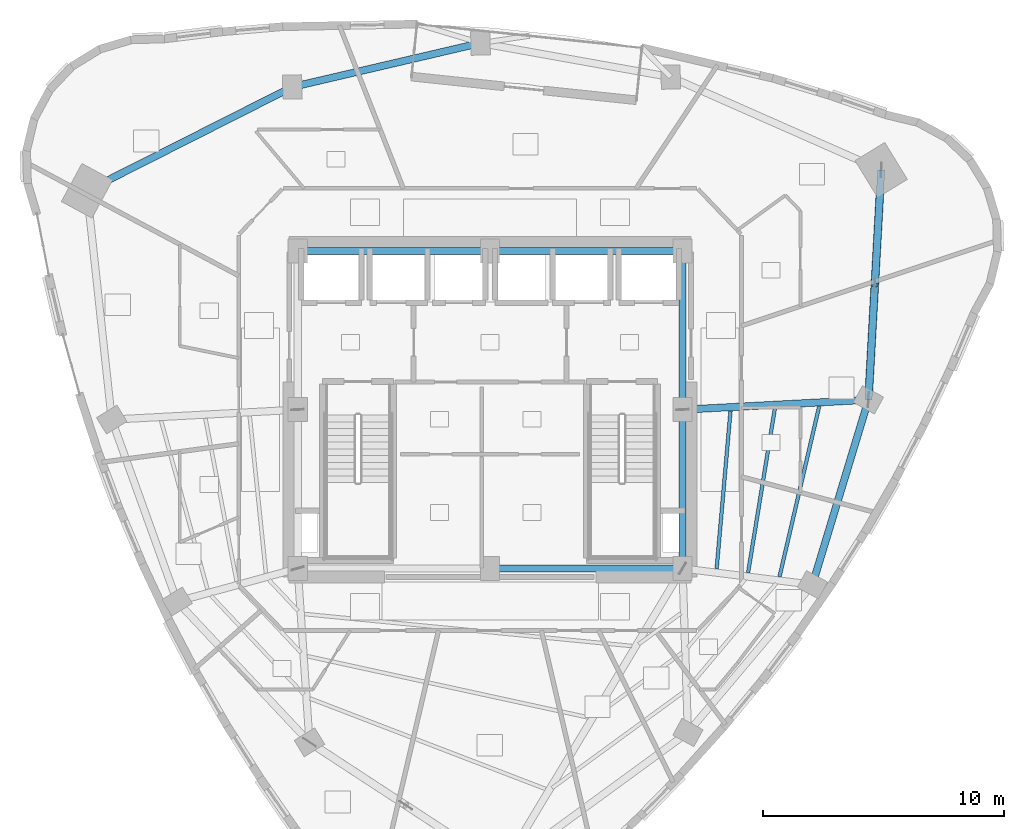
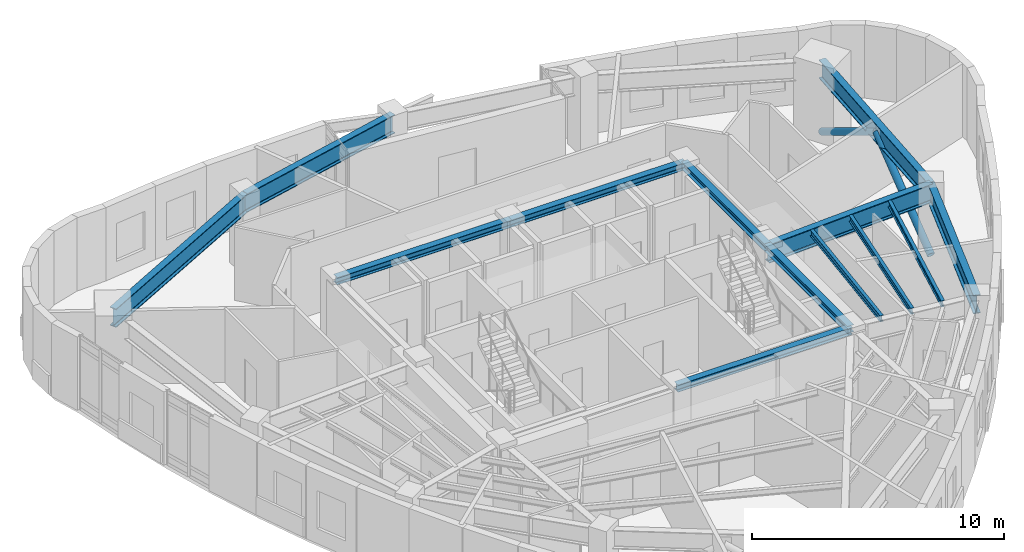
# One storey, part 5 of 16: 13 beams, 2 members.
"""IFC4 building model written with IfcOpenShell, lengths in metres."""

from ifc_helpers import new_model, si_unit, direction, frame, origin, origin_2d, place, context, subcontext, project, spatial, hollow_circle, i_section, extrude, material, material_profile, profile_set, type_object, element, save


model = new_model("IFC4")

# Units and contexts
model_context = context("Model", 3, precision=1e-05, world=origin(), true_north=direction((0.0, 1.0)))
body_context = subcontext(model_context, "Body", "Model", "MODEL_VIEW")
ifc_project = project(units=[si_unit("LENGTHUNIT", "METRE"), si_unit("AREAUNIT", "SQUARE_METRE"), si_unit("VOLUMEUNIT", "CUBIC_METRE"), si_unit("PLANEANGLEUNIT", "RADIAN"), si_unit("MASSUNIT", "GRAM", prefix="KILO")], contexts=[model_context])

# Site, building, storey
site_placement = place(None, origin())
site = spatial("IfcSite", under=ifc_project, at=site_placement, CompositionType="ELEMENT")
building_placement = place(site_placement, origin())
building = spatial("IfcBuilding", under=site, at=building_placement, Name="Ndelora Gate Hotel", CompositionType="ELEMENT")
storey_placement = place(building_placement, frame((0.0, 0.0, 182.75)))
storey = spatial("IfcBuildingStorey", under=building, at=storey_placement, Name="L45", CompositionType="ELEMENT", Elevation=182.75)

# Beams
ifc_material_1 = material(Name="Steel S460", Category="steel")
ifc_material_profile_1 = material_profile(ifc_material_1, i_section(OverallWidth=0.300048828125, OverallDepth=0.89990234375, WebThickness=0.0185546875, FlangeThickness=0.034912109375, FilletRadius=0.030029296875, at=origin_2d()), Name="HEB 900")
ifc_profile_set_1 = profile_set([ifc_material_profile_1], Name="Steel S460")
beam_type_1 = type_object("IfcBeamType", Name="BM-BELT-900", PredefinedType="SPANDREL", material=ifc_profile_set_1)
beam_1_placement = place(storey_placement, frame((13.400390625, -7.275634765625, 3.10009765625), z_axis=(0.290012456561, 0.957022870698, 0.0), x_axis=(-0.957022870698, 0.290012456561, 0.0)))
element("IfcBeam", 1, at=beam_1_placement, inside=storey, type_object=beam_type_1, Name="L45 Perimeter Spandrel Girder 7", PredefinedType="SPANDREL", context=body_context, shape_type="SweptSolid", body=[
    extrude(i_section(OverallWidth=0.300048828125, OverallDepth=0.89990234375, WebThickness=0.0185546875, FlangeThickness=0.034912109375, FilletRadius=0.030029296875, at=origin_2d()), origin(), (0.0, 0.0, 1.0), 8.03271484375),
])
beam_2_placement = place(storey_placement, frame((15.72998046875, 0.411865234375, 3.10009765625), z_axis=(0.055426206248, 0.998462786318, 0.0), x_axis=(-0.998462786318, 0.055426206248, 0.0)))
element("IfcBeam", 2, at=beam_2_placement, inside=storey, type_object=beam_type_1, Name="L45 Perimeter Spandrel Girder 8", PredefinedType="SPANDREL", context=body_context, shape_type="SweptSolid", body=[
    extrude(i_section(OverallWidth=0.300048828125, OverallDepth=0.89990234375, WebThickness=0.0185546875, FlangeThickness=0.034912109375, FilletRadius=0.030029296875, at=origin_2d()), origin(), (0.0, 0.0, 1.0), 9.567138671875),
])
beam_3_placement = place(storey_placement, frame((-0.399169921875, 15.242919921875, 3.10009765625), z_axis=(-0.973809142107, -0.227367004529, 0.0), x_axis=(0.227367004529, -0.973809142107, 0.0)))
element("IfcBeam", 3, at=beam_3_placement, inside=storey, type_object=beam_type_1, Name="L45 Perimeter Spandrel Girder 11", PredefinedType="SPANDREL", context=body_context, shape_type="SweptSolid", body=[
    extrude(i_section(OverallWidth=0.300048828125, OverallDepth=0.89990234375, WebThickness=0.0185546875, FlangeThickness=0.034912109375, FilletRadius=0.030029296875, at=origin_2d()), origin(), (0.0, 0.0, 1.0), 8.032958984375),
])
beam_4_placement = place(storey_placement, frame((-8.2216796875, 13.41650390625, 3.10009765625), z_axis=(-0.89241242978, -0.451220628045, 0.0), x_axis=(0.451220628045, -0.89241242978, 0.0)))
element("IfcBeam", 4, at=beam_4_placement, inside=storey, type_object=beam_type_1, Name="L45 Perimeter Spandrel Girder 12", PredefinedType="SPANDREL", context=body_context, shape_type="SweptSolid", body=[
    extrude(i_section(OverallWidth=0.300048828125, OverallDepth=0.89990234375, WebThickness=0.0185546875, FlangeThickness=0.034912109375, FilletRadius=0.030029296875, at=origin_2d()), origin(), (0.0, 0.0, 1.0), 9.567138671875),
])
beam_5_placement = place(storey_placement, frame((8.0, 0.0, 3.10009765625), z_axis=(0.998583554121, 0.053206065814, 0.0), x_axis=(-0.053206065814, 0.998583554121, 0.0)))
element("IfcBeam", 5, at=beam_5_placement, inside=storey, type_object=beam_type_1, Name="L45 Radial Floor Girder 8", PredefinedType="SPANDREL", context=body_context, shape_type="SweptSolid", body=[
    extrude(i_section(OverallWidth=0.300048828125, OverallDepth=0.89990234375, WebThickness=0.0185546875, FlangeThickness=0.034912109375, FilletRadius=0.030029296875, at=origin_2d()), origin(), (0.0, 0.0, 1.0), 7.740966796875),
])
ifc_material_2 = material(Name="Steel S355", Category="steel")
ifc_material_profile_2 = material_profile(ifc_material_2, i_section(OverallWidth=0.300048828125, OverallDepth=0.35009765625, WebThickness=0.010009765625, FlangeThickness=0.017578125, FilletRadius=0.027099609375, at=origin_2d()), Name="HEA 360")
ifc_profile_set_2 = profile_set([ifc_material_profile_2], Name="Steel S355")
beam_type_2 = type_object("IfcBeamType", Name="BM-CORE-350", PredefinedType="BEAM", material=ifc_profile_set_2)
for number, where, z_axis, x_axis, name in (
    (6, (-8.0, 6.60009765625, 3.375), (1.0, 0.0, 0.0), (0.0, 1.0, 0.0), "L45 Core Tie Girder CC7-CC6"),
    (7, (0.0, 6.60009765625, 3.375), (1.0, 0.0, 0.0), (0.0, 1.0, 0.0), "L45 Core Tie Girder CC6-CC5"),
):
    element("IfcBeam", number, at=place(storey_placement, frame(where, z_axis=z_axis, x_axis=x_axis)), inside=storey, type_object=beam_type_2, Name=name, PredefinedType="BEAM", context=body_context, shape_type="SweptSolid", body=[
        extrude(i_section(OverallWidth=0.300048828125, OverallDepth=0.35009765625, WebThickness=0.010009765625, FlangeThickness=0.017578125, FilletRadius=0.027099609375, at=origin_2d()), origin(), (0.0, 0.0, 1.0), 8.0),
    ])
for number, where, z_axis, x_axis, name in (
    (8, (8.0, -6.60009765625, 3.375), (0.0, 1.0, 0.0), (-1.0, 0.0, 0.0), "L45 Core Tie Girder CC3-CC4"),
    (9, (8.0, 0.0, 3.375), (0.0, 1.0, 0.0), (-1.0, 0.0, 0.0), "L45 Core Tie Girder CC4-CC5"),
):
    element("IfcBeam", number, at=place(storey_placement, frame(where, z_axis=z_axis, x_axis=x_axis)), inside=storey, type_object=beam_type_2, Name=name, PredefinedType="BEAM", context=body_context, shape_type="SweptSolid", body=[
        extrude(i_section(OverallWidth=0.300048828125, OverallDepth=0.35009765625, WebThickness=0.010009765625, FlangeThickness=0.017578125, FilletRadius=0.027099609375, at=origin_2d()), origin(), (0.0, 0.0, 1.0), 6.60009765625),
    ])
beam_6_placement = place(storey_placement, frame((0.0, -6.60009765625, 3.375), z_axis=(1.0, 0.0, 0.0), x_axis=(0.0, 1.0, 0.0)))
element("IfcBeam", 10, at=beam_6_placement, inside=storey, type_object=beam_type_2, Name="L45 Core Tie Girder CC2-CC3", PredefinedType="BEAM", context=body_context, shape_type="SweptSolid", body=[
    extrude(i_section(OverallWidth=0.300048828125, OverallDepth=0.35009765625, WebThickness=0.010009765625, FlangeThickness=0.017578125, FilletRadius=0.027099609375, at=origin_2d()), origin(), (0.0, 0.0, 1.0), 8.0),
])
ifc_material_profile_3 = material_profile(ifc_material_2, i_section(OverallWidth=0.14990234375, OverallDepth=0.300048828125, WebThickness=0.007080078125, FlangeThickness=0.0107421875, FilletRadius=0.014892578125, at=origin_2d()), Name="IPE 300")
ifc_profile_set_3 = profile_set([ifc_material_profile_3], Name="Steel S355")
beam_type_3 = type_object("IfcBeamType", Name="BM-JST-300", PredefinedType="JOIST", material=ifc_profile_set_3)
beam_7_placement = place(storey_placement, frame((9.418212890625, -6.6162109375, 3.39990234375), z_axis=(0.087625640482, 0.99615347569, 0.0), x_axis=(-0.99615347569, 0.087625640482, 0.0)))
element("IfcBeam", 11, at=beam_7_placement, inside=storey, type_object=beam_type_3, Name="L45 Secondary Composite Floor Joist IN-7", PredefinedType="JOIST", context=body_context, shape_type="SweptSolid", body=[
    extrude(i_section(OverallWidth=0.14990234375, OverallDepth=0.300048828125, WebThickness=0.007080078125, FlangeThickness=0.0107421875, FilletRadius=0.014892578125, at=origin_2d()), origin(), (0.0, 0.0, 1.0), 6.58935546875),
])
beam_8_placement = place(storey_placement, frame((10.725830078125, -6.77978515625, 3.39990234375), z_axis=(0.160924247451, 0.986966760627, 0.0), x_axis=(-0.986966760627, 0.160924247451, 0.0)))
element("IfcBeam", 12, at=beam_8_placement, inside=storey, type_object=beam_type_3, Name="L45 Secondary Composite Floor Joist MID-7", PredefinedType="JOIST", context=body_context, shape_type="SweptSolid", body=[
    extrude(i_section(OverallWidth=0.14990234375, OverallDepth=0.300048828125, WebThickness=0.007080078125, FlangeThickness=0.0107421875, FilletRadius=0.014892578125, at=origin_2d()), origin(), (0.0, 0.0, 1.0), 6.91796875),
])
beam_9_placement = place(storey_placement, frame((12.032470703125, -6.944091796875, 3.39990234375), z_axis=(0.226751642685, 0.973952613087, 0.0), x_axis=(-0.973952613087, 0.226751642685, 0.0)))
element("IfcBeam", 13, at=beam_9_placement, inside=storey, type_object=beam_type_3, Name="L45 Secondary Composite Floor Joist OUT-7", PredefinedType="JOIST", context=body_context, shape_type="SweptSolid", body=[
    extrude(i_section(OverallWidth=0.14990234375, OverallDepth=0.300048828125, WebThickness=0.007080078125, FlangeThickness=0.0107421875, FilletRadius=0.014892578125, at=origin_2d()), origin(), (0.0, 0.0, 1.0), 7.28271484375),
])

# Members
ifc_material_profile_4 = material_profile(ifc_material_2, hollow_circle(Radius=0.161865234375, WallThickness=0.01611328125, at=origin_2d()), Name="CHS 323.9x16")
ifc_profile_set_4 = profile_set([ifc_material_profile_4], Name="Steel S355")
member_type = type_object("IfcMemberType", Name="MB-TUBE-324", PredefinedType="BRACE", material=ifc_profile_set_4)
member_1_placement = place(storey_placement, frame((15.72998046875, 0.411865234375, 0.02001953125), z_axis=(0.047045319089, 0.847465540823, 0.528761661876), x_axis=(-0.99846270792, 0.055427618504, 0.0)))
element("IfcMember", 14, at=member_1_placement, inside=storey, type_object=member_type, Name="L45 Perimeter Braced-Tube Diagonal 8A", PredefinedType="BRACE", context=body_context, shape_type="SweptSolid", body=[
    extrude(hollow_circle(Radius=0.161865234375, WallThickness=0.01611328125, at=origin_2d()), origin(), (0.0, 0.0, 1.0), 5.6357421875),
])
member_2_placement = place(storey_placement, frame((16.26025390625, 9.96435546875, 0.02001953125), z_axis=(-0.04704359201, -0.847477747768, 0.528742250524), x_axis=(0.998462864709, -0.055424794064, 0.0)))
element("IfcMember", 15, at=member_2_placement, inside=storey, type_object=member_type, Name="L45 Perimeter Braced-Tube Diagonal 8B", PredefinedType="BRACE", context=body_context, shape_type="SweptSolid", body=[
    extrude(hollow_circle(Radius=0.161865234375, WallThickness=0.01611328125, at=origin_2d()), origin(), (0.0, 0.0, 1.0), 5.635986328125),
])

save(model, "model.ifc")
